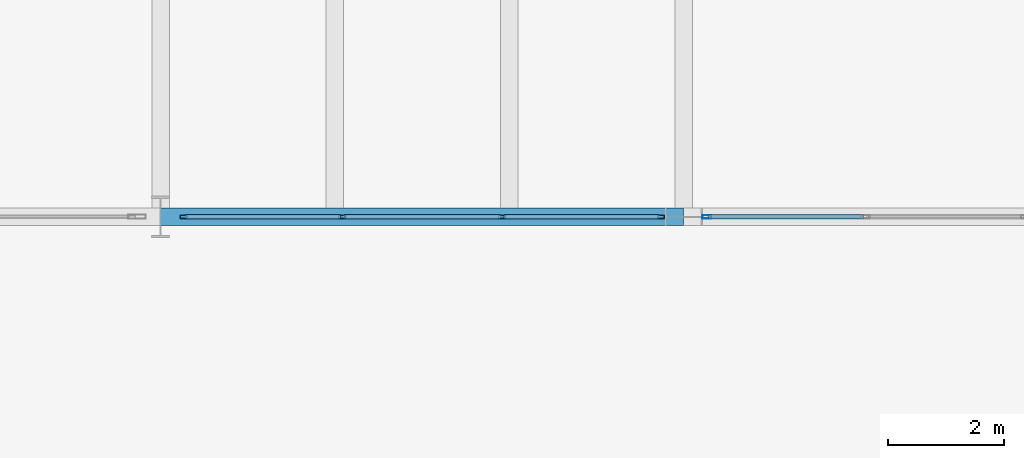
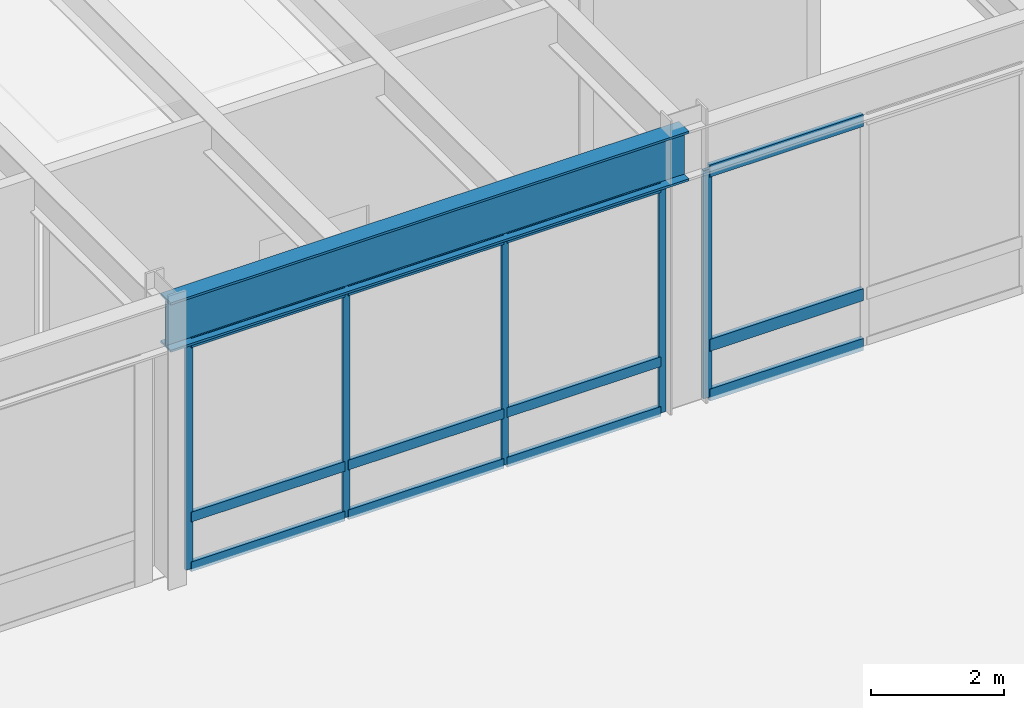
# One storey, part 99 of 143: 17 members, 1 beam, 2 elements without a shape of their own.
"""IFC4 building model written with IfcOpenShell, lengths in metres."""

from ifc_helpers import new_model, si_unit, direction, frame, origin, origin_2d, place, context, subcontext, project, spatial, hollow_rectangle, i_section, extrude, material, layer, layer_set, material_profile, profile_set, type_object, element, aggregate, save


model = new_model("IFC4")

# Units and contexts
model_context = context("Model", 3, precision=1e-05, world=origin(), true_north=direction((0.0, 1.0)))
body_context = subcontext(model_context, "Body", "Model", "MODEL_VIEW")
ifc_project = project(units=[si_unit("LENGTHUNIT", "METRE"), si_unit("AREAUNIT", "SQUARE_METRE"), si_unit("VOLUMEUNIT", "CUBIC_METRE"), si_unit("PLANEANGLEUNIT", "RADIAN"), si_unit("MASSUNIT", "GRAM", prefix="KILO")], contexts=[model_context])

# Site, building, storey
site_placement = place(None, origin())
site = spatial("IfcSite", under=ifc_project, at=site_placement, CompositionType="ELEMENT")
building_placement = place(site_placement, origin())
building = spatial("IfcBuilding", under=site, at=building_placement, Name="Montelvaro Courts of Justice", CompositionType="ELEMENT")
storey_placement = place(building_placement, origin())
storey = spatial("IfcBuildingStorey", under=building, at=storey_placement, Name="L00", CompositionType="ELEMENT", Elevation=0.0)

# Beam
ifc_material_1 = material(Name="Steel S355", Category="steel")
ifc_material_profile_1 = material_profile(ifc_material_1, i_section(OverallWidth=0.302001953125, OverallDepth=0.909912109375, WebThickness=0.02099609375, FlangeThickness=0.0400390625, at=origin_2d()), Name="HEM 900")
ifc_profile_set_1 = profile_set([ifc_material_profile_1], Name="Steel S355")
beam_type = type_object("IfcBeamType", Name="Beam_HEM900", PredefinedType="USERDEFINED", material=ifc_profile_set_1)
beam_placement = place(storey_placement, frame((144.0, 78.0, 4.64501953125), z_axis=(1.0, 0.0, 0.0), x_axis=(0.0, 1.0, 0.0)))
element("IfcBeam", 1, at=beam_placement, inside=storey, type_object=beam_type, Name="Beam B-31 L00", ObjectType="GIRDER", PredefinedType="USERDEFINED", context=body_context, shape_type="SweptSolid", body=[
    extrude(i_section(OverallWidth=0.302001953125, OverallDepth=0.909912109375, WebThickness=0.02099609375, FlangeThickness=0.0400390625, at=origin_2d()), origin(), (0.0, 0.0, 1.0), 9.0),
])

# Curtain wall, members
ifc_material_2 = material(Name="Anodised aluminium EN AW-6063", Category="aluminium")
ifc_layer = layer(ifc_material_2, 0.159912109375)
ifc_layer_set = layer_set([ifc_layer], Name="Anodised aluminium EN AW-6063")
curtain_wall_type = type_object("IfcCurtainWallType", Name="CurtainWall_01_827x508", PredefinedType="USERDEFINED", material=ifc_layer_set)
curtain_wall_1_placement = place(storey_placement, origin())
curtain_wall_1 = element("IfcCurtainWall", 2, at=curtain_wall_1_placement, inside=storey, type_object=curtain_wall_type, Name="Curtain Wall CW-01 (L00)", ObjectType="CURTAIN WALL", PredefinedType="USERDEFINED")
ifc_material_profile_2 = material_profile(ifc_material_2, hollow_rectangle(XDim=0.06005859375, YDim=0.1201171875, WallThickness=0.00341796875, at=origin_2d()), Name="ALU-M 60x120")
ifc_profile_set_2 = profile_set([ifc_material_profile_2], Name="Anodised aluminium EN AW-6063")
member_type_1 = type_object("IfcMemberType", Name="CurtainWall_Mullion_60x120", PredefinedType="MULLION", material=ifc_profile_set_2)
member_1_placement = place(storey_placement, frame((144.39501953125, 78.0, 0.0), z_axis=(0.0, 0.0, 1.0), x_axis=(0.0, 1.0, 0.0)))
member_1 = element("IfcMember", 3, at=member_1_placement, type_object=member_type_1, Name="CW-01 mullion 1", PredefinedType="MULLION", context=body_context, shape_type="SweptSolid", body=[
    extrude(hollow_rectangle(XDim=0.06005859375, YDim=0.1201171875, WallThickness=0.00341796875, at=origin_2d()), origin(), (0.0, 0.0, 1.0), 4.18505859375),
])
member_2_placement = place(storey_placement, frame((147.12158203125, 78.0, 0.0), z_axis=(0.0, 0.0, 1.0), x_axis=(0.0, 1.0, 0.0)))
member_2 = element("IfcMember", 4, at=member_2_placement, type_object=member_type_1, Name="CW-01 mullion 2", PredefinedType="MULLION", context=body_context, shape_type="SweptSolid", body=[
    extrude(hollow_rectangle(XDim=0.06005859375, YDim=0.1201171875, WallThickness=0.00341796875, at=origin_2d()), origin(), (0.0, 0.0, 1.0), 4.18505859375),
])
member_3_placement = place(storey_placement, frame((149.87841796875, 78.0, 0.0), z_axis=(0.0, 0.0, 1.0), x_axis=(0.0, 1.0, 0.0)))
member_3 = element("IfcMember", 5, at=member_3_placement, type_object=member_type_1, Name="CW-01 mullion 3", PredefinedType="MULLION", context=body_context, shape_type="SweptSolid", body=[
    extrude(hollow_rectangle(XDim=0.06005859375, YDim=0.1201171875, WallThickness=0.00341796875, at=origin_2d()), origin(), (0.0, 0.0, 1.0), 4.18505859375),
])
member_4_placement = place(storey_placement, frame((152.60498046875, 78.0, 0.0), z_axis=(0.0, 0.0, 1.0), x_axis=(0.0, 1.0, 0.0)))
member_4 = element("IfcMember", 6, at=member_4_placement, type_object=member_type_1, Name="CW-01 mullion 4", PredefinedType="MULLION", context=body_context, shape_type="SweptSolid", body=[
    extrude(hollow_rectangle(XDim=0.06005859375, YDim=0.1201171875, WallThickness=0.00341796875, at=origin_2d()), origin(), (0.0, 0.0, 1.0), 4.18505859375),
])

# Curtain wall, member
curtain_wall_2_placement = place(storey_placement, origin())
curtain_wall_2 = element("IfcCurtainWall", 7, at=curtain_wall_2_placement, inside=storey, type_object=curtain_wall_type, Name="Curtain Wall CW-01 (L00)", ObjectType="CURTAIN WALL", PredefinedType="USERDEFINED")
ifc_material_profile_3 = material_profile(ifc_material_2, hollow_rectangle(XDim=0.06005859375, YDim=0.14990234375, WallThickness=0.00390625, at=origin_2d()), Name="ALU-M 60x150")
ifc_profile_set_3 = profile_set([ifc_material_profile_3], Name="Anodised aluminium EN AW-6063")
member_type_2 = type_object("IfcMemberType", Name="CurtainWall_Mullion_60x150", PredefinedType="MULLION", material=ifc_profile_set_3)
member_5_placement = place(storey_placement, frame((153.39501953125, 78.0, 0.0), z_axis=(0.0, 0.0, 1.0), x_axis=(0.0, 1.0, 0.0)))
member_5 = element("IfcMember", 8, at=member_5_placement, type_object=member_type_2, Name="CW-01 mullion 1", PredefinedType="MULLION", context=body_context, shape_type="SweptSolid", body=[
    extrude(hollow_rectangle(XDim=0.06005859375, YDim=0.14990234375, WallThickness=0.00390625, at=origin_2d()), origin(), (0.0, 0.0, 1.0), 4.18505859375),
])

# Member
ifc_material_profile_4 = material_profile(ifc_material_2, hollow_rectangle(XDim=0.074951171875, YDim=0.179931640625, WallThickness=0.0048828125, at=origin_2d()), Name="ALU-T 75x180")
ifc_profile_set_4 = profile_set([ifc_material_profile_4], Name="Anodised aluminium EN AW-6063")
member_type_3 = type_object("IfcMemberType", Name="CurtainWall_Transom_75x180", PredefinedType="USERDEFINED", material=ifc_profile_set_4)
member_6_placement = place(storey_placement, frame((144.425048828125, 78.0, 0.03759765625), z_axis=(1.0, 0.0, 0.0), x_axis=(0.0, 1.0, 0.0)))
member_6 = element("IfcMember", 9, at=member_6_placement, type_object=member_type_3, Name="CW-01 transom 1.1", ObjectType="TRANSOM", PredefinedType="USERDEFINED", context=body_context, shape_type="SweptSolid", body=[
    extrude(hollow_rectangle(XDim=0.074951171875, YDim=0.179931640625, WallThickness=0.0048828125, at=origin_2d()), origin(), (0.0, 0.0, 1.0), 2.66650390625),
])

member_7_placement = place(storey_placement, frame((144.425048828125, 78.0, 0.949951171875), z_axis=(1.0, 0.0, 0.0), x_axis=(0.0, 1.0, 0.0)))
member_7 = element("IfcMember", 10, at=member_7_placement, type_object=member_type_3, Name="CW-01 transom 1.2", ObjectType="TRANSOM", PredefinedType="USERDEFINED", context=body_context, shape_type="SweptSolid", body=[
    extrude(hollow_rectangle(XDim=0.074951171875, YDim=0.179931640625, WallThickness=0.0048828125, at=origin_2d()), origin(), (0.0, 0.0, 1.0), 2.66650390625),
])

member_8_placement = place(storey_placement, frame((144.425048828125, 78.0, 4.1474609375), z_axis=(1.0, 0.0, 0.0), x_axis=(0.0, 1.0, 0.0)))
member_8 = element("IfcMember", 11, at=member_8_placement, type_object=member_type_3, Name="CW-01 transom 1.3", ObjectType="TRANSOM", PredefinedType="USERDEFINED", context=body_context, shape_type="SweptSolid", body=[
    extrude(hollow_rectangle(XDim=0.074951171875, YDim=0.179931640625, WallThickness=0.0048828125, at=origin_2d()), origin(), (0.0, 0.0, 1.0), 2.66650390625),
])

member_9_placement = place(storey_placement, frame((147.151611328125, 78.0, 0.03759765625), z_axis=(1.0, 0.0, 0.0), x_axis=(0.0, 1.0, 0.0)))
member_9 = element("IfcMember", 12, at=member_9_placement, type_object=member_type_3, Name="CW-01 transom 2.1", ObjectType="TRANSOM", PredefinedType="USERDEFINED", context=body_context, shape_type="SweptSolid", body=[
    extrude(hollow_rectangle(XDim=0.074951171875, YDim=0.179931640625, WallThickness=0.0048828125, at=origin_2d()), origin(), (0.0, 0.0, 1.0), 2.69677734375),
])

member_10_placement = place(storey_placement, frame((147.151611328125, 78.0, 0.949951171875), z_axis=(1.0, 0.0, 0.0), x_axis=(0.0, 1.0, 0.0)))
member_10 = element("IfcMember", 13, at=member_10_placement, type_object=member_type_3, Name="CW-01 transom 2.2", ObjectType="TRANSOM", PredefinedType="USERDEFINED", context=body_context, shape_type="SweptSolid", body=[
    extrude(hollow_rectangle(XDim=0.074951171875, YDim=0.179931640625, WallThickness=0.0048828125, at=origin_2d()), origin(), (0.0, 0.0, 1.0), 2.69677734375),
])

member_11_placement = place(storey_placement, frame((147.151611328125, 78.0, 4.1474609375), z_axis=(1.0, 0.0, 0.0), x_axis=(0.0, 1.0, 0.0)))
member_11 = element("IfcMember", 14, at=member_11_placement, type_object=member_type_3, Name="CW-01 transom 2.3", ObjectType="TRANSOM", PredefinedType="USERDEFINED", context=body_context, shape_type="SweptSolid", body=[
    extrude(hollow_rectangle(XDim=0.074951171875, YDim=0.179931640625, WallThickness=0.0048828125, at=origin_2d()), origin(), (0.0, 0.0, 1.0), 2.69677734375),
])

member_12_placement = place(storey_placement, frame((149.908447265625, 78.0, 0.03759765625), z_axis=(1.0, 0.0, 0.0), x_axis=(0.0, 1.0, 0.0)))
member_12 = element("IfcMember", 15, at=member_12_placement, type_object=member_type_3, Name="CW-01 transom 3.1", ObjectType="TRANSOM", PredefinedType="USERDEFINED", context=body_context, shape_type="SweptSolid", body=[
    extrude(hollow_rectangle(XDim=0.074951171875, YDim=0.179931640625, WallThickness=0.0048828125, at=origin_2d()), origin(), (0.0, 0.0, 1.0), 2.66650390625),
])

member_13_placement = place(storey_placement, frame((149.908447265625, 78.0, 0.949951171875), z_axis=(1.0, 0.0, 0.0), x_axis=(0.0, 1.0, 0.0)))
member_13 = element("IfcMember", 16, at=member_13_placement, type_object=member_type_3, Name="CW-01 transom 3.2", ObjectType="TRANSOM", PredefinedType="USERDEFINED", context=body_context, shape_type="SweptSolid", body=[
    extrude(hollow_rectangle(XDim=0.074951171875, YDim=0.179931640625, WallThickness=0.0048828125, at=origin_2d()), origin(), (0.0, 0.0, 1.0), 2.66650390625),
])

member_14_placement = place(storey_placement, frame((149.908447265625, 78.0, 4.1474609375), z_axis=(1.0, 0.0, 0.0), x_axis=(0.0, 1.0, 0.0)))
member_14 = element("IfcMember", 17, at=member_14_placement, type_object=member_type_3, Name="CW-01 transom 3.3", ObjectType="TRANSOM", PredefinedType="USERDEFINED", context=body_context, shape_type="SweptSolid", body=[
    extrude(hollow_rectangle(XDim=0.074951171875, YDim=0.179931640625, WallThickness=0.0048828125, at=origin_2d()), origin(), (0.0, 0.0, 1.0), 2.66650390625),
])

aggregate(curtain_wall_1, [member_1, member_2, member_3, member_4, member_6, member_7, member_8, member_9, member_10, member_11, member_12, member_13, member_14])

ifc_material_profile_5 = material_profile(ifc_material_2, hollow_rectangle(XDim=0.074951171875, YDim=0.219970703125, WallThickness=0.005615234375, at=origin_2d()), Name="ALU-T 75x220")
ifc_profile_set_5 = profile_set([ifc_material_profile_5], Name="Anodised aluminium EN AW-6063")
member_type_4 = type_object("IfcMemberType", Name="CurtainWall_Transom_75x220", PredefinedType="USERDEFINED", material=ifc_profile_set_5)
member_15_placement = place(storey_placement, frame((153.425048828125, 78.0, 0.03759765625), z_axis=(1.0, 0.0, 0.0), x_axis=(0.0, 1.0, 0.0)))
member_15 = element("IfcMember", 18, at=member_15_placement, type_object=member_type_4, Name="CW-01 transom 1.1", ObjectType="TRANSOM", PredefinedType="USERDEFINED", context=body_context, shape_type="SweptSolid", body=[
    extrude(hollow_rectangle(XDim=0.074951171875, YDim=0.219970703125, WallThickness=0.005615234375, at=origin_2d()), origin(), (0.0, 0.0, 1.0), 2.66650390625),
])

member_16_placement = place(storey_placement, frame((153.425048828125, 78.0, 0.949951171875), z_axis=(1.0, 0.0, 0.0), x_axis=(0.0, 1.0, 0.0)))
member_16 = element("IfcMember", 19, at=member_16_placement, type_object=member_type_4, Name="CW-01 transom 1.2", ObjectType="TRANSOM", PredefinedType="USERDEFINED", context=body_context, shape_type="SweptSolid", body=[
    extrude(hollow_rectangle(XDim=0.074951171875, YDim=0.219970703125, WallThickness=0.005615234375, at=origin_2d()), origin(), (0.0, 0.0, 1.0), 2.66650390625),
])

member_17_placement = place(storey_placement, frame((153.425048828125, 78.0, 4.1474609375), z_axis=(1.0, 0.0, 0.0), x_axis=(0.0, 1.0, 0.0)))
member_17 = element("IfcMember", 20, at=member_17_placement, type_object=member_type_4, Name="CW-01 transom 1.3", ObjectType="TRANSOM", PredefinedType="USERDEFINED", context=body_context, shape_type="SweptSolid", body=[
    extrude(hollow_rectangle(XDim=0.074951171875, YDim=0.219970703125, WallThickness=0.005615234375, at=origin_2d()), origin(), (0.0, 0.0, 1.0), 2.66650390625),
])

aggregate(curtain_wall_2, [member_5, member_15, member_16, member_17])

save(model, "model.ifc")
